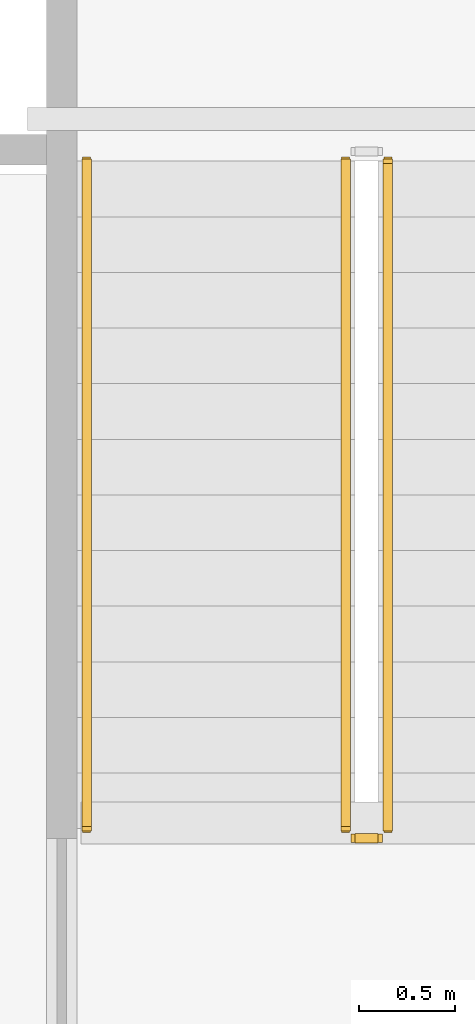
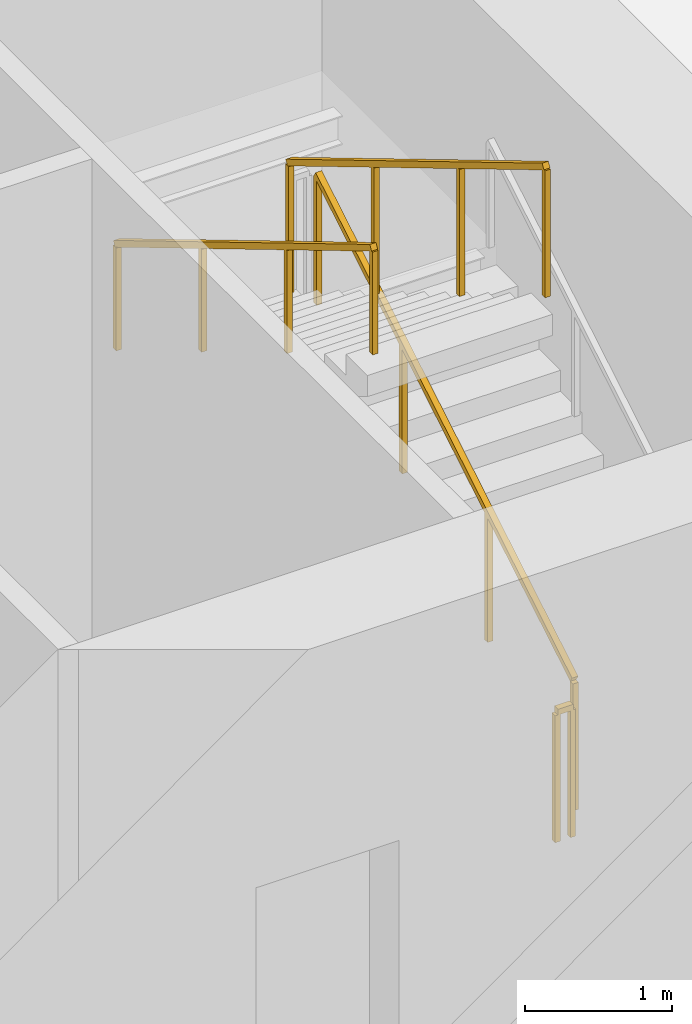
# One storey, part 13 of 16: 4 railings.
"""IFC4 building model written with IfcOpenShell, lengths in metres."""

from ifc_helpers import new_model, si_unit, direction, frame, origin, origin_2d, place, context, subcontext, project, spatial, rectangle, extrude, material, type_object, element, save


model = new_model("IFC4")

# Units and contexts
model_context = context("Model", 3, precision=1e-05, world=origin(), true_north=direction((0.0, 1.0)))
body_context = subcontext(model_context, "Body", "Model", "MODEL_VIEW")
ifc_project = project(units=[si_unit("LENGTHUNIT", "METRE"), si_unit("AREAUNIT", "SQUARE_METRE"), si_unit("VOLUMEUNIT", "CUBIC_METRE"), si_unit("PLANEANGLEUNIT", "RADIAN"), si_unit("MASSUNIT", "GRAM", prefix="KILO")], contexts=[model_context])

# Site, building, storey
site_placement = place(None, origin())
site = spatial("IfcSite", under=ifc_project, at=site_placement, CompositionType="ELEMENT")
building_placement = place(site_placement, origin())
building = spatial("IfcBuilding", under=site, at=building_placement, Name="Olszyna Solenne Hotel", CompositionType="ELEMENT")
storey_placement = place(building_placement, frame((0.0, 0.0, 20.10009765625)))
storey = spatial("IfcBuildingStorey", under=building, at=storey_placement, Name="L04", CompositionType="ELEMENT", Elevation=20.10009765625)

# Railings
ifc_material_1 = material(Name="Anodised bronze aluminium", Category="aluminium")
railing_type_1 = type_object("IfcRailingType", Name="GR-110", PredefinedType="BALUSTRADE", material=ifc_material_1)
railing_1_placement = place(storey_placement, frame((44.5, 20.949951171875, 0.173095703125)))
element("IfcRailing", 1, at=railing_1_placement, inside=storey, type_object=railing_type_1, Name="L04 ST2 stair guard 1", PredefinedType="BALUSTRADE", context=body_context, shape_type="SweptSolid", body=[
    extrude(rectangle(XDim=0.048095703125, YDim=0.048095703125, at=origin_2d()), frame((0.0, 0.0, 1.076171875), z_axis=(0.0, 0.858697190188, 0.512483302717), x_axis=(-1.0, 0.0, 0.0)), (0.0, 0.0, 1.0), 4.052734375),
    extrude(rectangle(XDim=0.0419921875, YDim=0.0419921875, at=origin_2d()), origin(), (0.0, 0.0, 1.0), 1.052001953125),
    extrude(rectangle(XDim=0.0419921875, YDim=0.0419921875, at=origin_2d()), frame((0.0, 1.159912109375, 0.6923828125)), (0.0, 0.0, 1.0), 1.052001953125),
    extrude(rectangle(XDim=0.0419921875, YDim=0.0419921875, at=origin_2d()), frame((0.0, 2.320068359375, 1.384521484375)), (0.0, 0.0, 1.0), 1.052001953125),
    extrude(rectangle(XDim=0.0419921875, YDim=0.0419921875, at=origin_2d()), frame((0.0, 3.47998046875, 2.076904296875)), (0.0, 0.0, 1.0), 1.052001953125),
])
railing_2_placement = place(storey_placement, frame((44.280029296875, 24.429931640625, 2.423095703125)))
element("IfcRailing", 2, at=railing_2_placement, inside=storey, type_object=railing_type_1, Name="L04 ST2 stair guard 3", PredefinedType="BALUSTRADE", context=body_context, shape_type="SweptSolid", body=[
    extrude(rectangle(XDim=0.048095703125, YDim=0.048095703125, at=origin_2d()), frame((0.0, 0.0, 1.076171875), z_axis=(0.0, -0.858697190188, 0.512483302717), x_axis=(1.0, 0.0, 0.0)), (0.0, 0.0, 1.0), 4.052734375),
    extrude(rectangle(XDim=0.0419921875, YDim=0.0419921875, at=origin_2d()), origin(), (0.0, 0.0, 1.0), 1.052001953125),
    extrude(rectangle(XDim=0.0419921875, YDim=0.0419921875, at=origin_2d()), frame((0.0, -1.159912109375, 0.6923828125)), (0.0, 0.0, 1.0), 1.052001953125),
    extrude(rectangle(XDim=0.0419921875, YDim=0.0419921875, at=origin_2d()), frame((0.0, -2.320068359375, 1.384521484375)), (0.0, 0.0, 1.0), 1.052001953125),
    extrude(rectangle(XDim=0.0419921875, YDim=0.0419921875, at=origin_2d()), frame((0.0, -3.47998046875, 2.076904296875)), (0.0, 0.0, 1.0), 1.052001953125),
])
railing_3_placement = place(storey_placement, frame((44.449951171875, 20.89990234375, 0.0)))
element("IfcRailing", 3, at=railing_3_placement, inside=storey, type_object=railing_type_1, Name="L04 ST2 stair guard 4", PredefinedType="BALUSTRADE", context=body_context, shape_type="SweptSolid", body=[
    extrude(rectangle(XDim=0.048095703125, YDim=0.048095703125, at=origin_2d()), frame((0.0, 0.0, 1.076171875), z_axis=(-1.0, 0.0, 0.0), x_axis=(0.0, -1.0, 0.0)), (0.0, 0.0, 1.0), 0.119873046875),
    extrude(rectangle(XDim=0.0419921875, YDim=0.0419921875, at=origin_2d()), origin(), (0.0, 0.0, 1.0), 1.052001953125),
    extrude(rectangle(XDim=0.0419921875, YDim=0.0419921875, at=origin_2d()), frame((-0.119873046875, 0.0, 0.0)), (0.0, 0.0, 1.0), 1.052001953125),
])
ifc_material_2 = material(Name="Steel S355J2", Category="steel")
railing_type_2 = type_object("IfcRailingType", Name="HR-090", PredefinedType="HANDRAIL", material=ifc_material_2)
railing_4_placement = place(storey_placement, frame((42.929931640625, 24.429931640625, 2.423095703125)))
element("IfcRailing", 4, at=railing_4_placement, inside=storey, type_object=railing_type_2, Name="L04 ST2 stair handrail 2", PredefinedType="HANDRAIL", context=body_context, shape_type="SweptSolid", body=[
    extrude(rectangle(XDim=0.048095703125, YDim=0.048095703125, at=origin_2d()), frame((0.0, 0.0, 0.8759765625), z_axis=(0.0, -0.858697190188, 0.512483302717), x_axis=(1.0, 0.0, 0.0)), (0.0, 0.0, 1.0), 4.052734375),
    extrude(rectangle(XDim=0.0419921875, YDim=0.0419921875, at=origin_2d()), origin(), (0.0, 0.0, 1.0), 0.851806640625),
    extrude(rectangle(XDim=0.0419921875, YDim=0.0419921875, at=origin_2d()), frame((0.0, -1.159912109375, 0.6923828125)), (0.0, 0.0, 1.0), 0.851806640625),
    extrude(rectangle(XDim=0.0419921875, YDim=0.0419921875, at=origin_2d()), frame((0.0, -2.320068359375, 1.384521484375)), (0.0, 0.0, 1.0), 0.851806640625),
    extrude(rectangle(XDim=0.0419921875, YDim=0.0419921875, at=origin_2d()), frame((0.0, -3.47998046875, 2.076904296875)), (0.0, 0.0, 1.0), 0.851806640625),
])

save(model, "model.ifc")
